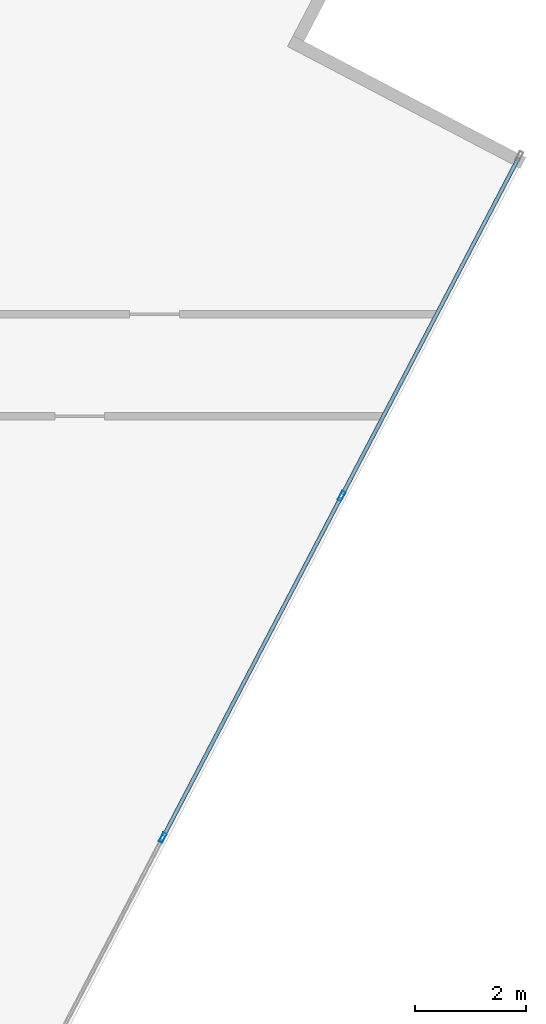
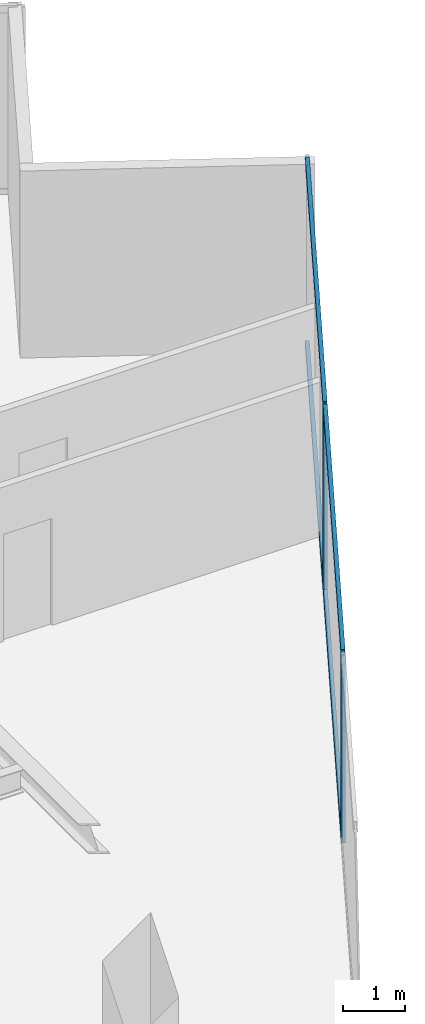
# One storey, part 12 of 27: 6 members, 1 element without a shape of its own.
"""IFC4 building model written with IfcOpenShell, lengths in metres."""

from ifc_helpers import new_model, si_unit, direction, frame, origin, origin_2d, place, context, subcontext, project, spatial, hollow_rectangle, extrude, source, transform, mapped, material, material_profile, profile_set, type_object, type_shapes, element, aggregate, save


model = new_model("IFC4")

# Units and contexts
model_context = context("Model", 3, precision=1e-05, world=origin(), true_north=direction((0.0, 1.0)))
body_context = subcontext(model_context, "Body", "Model", "MODEL_VIEW")
ifc_project = project(units=[si_unit("LENGTHUNIT", "METRE"), si_unit("AREAUNIT", "SQUARE_METRE"), si_unit("VOLUMEUNIT", "CUBIC_METRE"), si_unit("PLANEANGLEUNIT", "RADIAN"), si_unit("MASSUNIT", "GRAM", prefix="KILO")], contexts=[model_context])

# Site, building, storey
site_placement = place(None, origin())
site = spatial("IfcSite", under=ifc_project, at=site_placement, CompositionType="ELEMENT")
building_placement = place(site_placement, origin())
building = spatial("IfcBuilding", under=site, at=building_placement, Name="Krantzveldt Concourse Tower", CompositionType="ELEMENT")
storey_placement = place(building_placement, frame((0.0, 0.0, 150.14990234375)))
storey = spatial("IfcBuildingStorey", under=building, at=storey_placement, Name="L36", CompositionType="ELEMENT", Elevation=150.14990234375)

# Curtain wall, members
ifc_material = material(Name="Anodised aluminium 6063-T6", Category="aluminium")
curtain_wall_type = type_object("IfcCurtainWallType", Name="CW3", PredefinedType="USERDEFINED", material=ifc_material)
curtain_wall_placement = place(storey_placement, origin())
curtain_wall = element("IfcCurtainWall", 1, at=curtain_wall_placement, inside=storey, type_object=curtain_wall_type, Name="CW-L36-F07", ObjectType="UNITISED CURTAIN WALL", PredefinedType="USERDEFINED")
ifc_material_profile_1 = material_profile(ifc_material, hollow_rectangle(XDim=0.070068359375, YDim=0.179931640625, WallThickness=0.0048828125, at=origin_2d()), Name="Anodised aluminium 6063-T6", Category="aluminium")
ifc_profile_set_1 = profile_set([ifc_material_profile_1], Name="Anodised aluminium 6063-T6 - ALU-MULL 180x70x5")
member_type_1 = type_object("IfcMemberType", Name="CW-MUL-180", PredefinedType="MULLION", material=ifc_profile_set_1)
shared_shape_1 = source(origin(), body_context, "Body", "SweptSolid", [
    extrude(hollow_rectangle(XDim=0.070068359375, YDim=0.179931640625, WallThickness=0.0048828125, at=origin_2d()), origin(), (0.0, 0.0, 1.0), 3.670166015625),
])
type_shapes(member_type_1, [shared_shape_1])
member_1_placement = place(storey_placement, frame((56.937255859375, 19.67041015625, 0.0), z_axis=(0.0, 0.0, 1.0), x_axis=(-0.886001265743, 0.463682819502, 0.0)))
member_1 = element("IfcMember", 2, at=member_1_placement, type_object=member_type_1, Name="CW-Z34 mullion 4", PredefinedType="MULLION", context=body_context, shape_type="MappedRepresentation", body=[
    mapped(shared_shape_1, transform((0.0, 0.0, 0.0), x_axis=(1.0, 0.0, 0.0), y_axis=(0.0, 1.0, 0.0), z_axis=(0.0, 0.0, 1.0), scale=1.0)),
])
member_2_placement = place(storey_placement, frame((60.16455078125, 25.8369140625, 0.0), z_axis=(0.0, 0.0, 1.0), x_axis=(-0.886001265743, 0.463682819502, 0.0)))
member_2 = element("IfcMember", 3, at=member_2_placement, type_object=member_type_1, Name="CW-Z34 mullion 5", PredefinedType="MULLION", context=body_context, shape_type="MappedRepresentation", body=[
    mapped(shared_shape_1, transform((0.0, 0.0, 0.0), x_axis=(1.0, 0.0, 0.0), y_axis=(0.0, 1.0, 0.0), z_axis=(0.0, 0.0, 1.0), scale=1.0)),
])
ifc_material_profile_2 = material_profile(ifc_material, hollow_rectangle(XDim=0.070068359375, YDim=0.139892578125, WallThickness=0.0048828125, at=origin_2d()), Name="Anodised aluminium 6063-T6", Category="aluminium")
ifc_profile_set_2 = profile_set([ifc_material_profile_2], Name="Anodised aluminium 6063-T6 - ALU-TRAN 140x70x5")
member_type_2 = type_object("IfcMemberType", Name="CW-TRN-150", PredefinedType="USERDEFINED", material=ifc_profile_set_2)
shared_shape_2 = source(origin(), body_context, "Body", "SweptSolid", [
    extrude(hollow_rectangle(XDim=0.070068359375, YDim=0.139892578125, WallThickness=0.0048828125, at=origin_2d()), origin(), (0.0, 0.0, 1.0), 6.85498046875),
])
member_3_placement = place(storey_placement, frame((60.1806640625, 25.867919921875, 0.03515625), z_axis=(0.463704875487, 0.885989722542, 0.0), x_axis=(-0.885989722542, 0.463704875487, 0.0)))
member_3 = element("IfcMember", 4, at=member_3_placement, type_object=member_type_2, Name="CW-Z34 transom 5.1", ObjectType="TRANSOM", PredefinedType="USERDEFINED", context=body_context, shape_type="MappedRepresentation", body=[
    mapped(shared_shape_2, transform((0.0, 0.0, 0.0), x_axis=(1.0, 0.0, 0.0), y_axis=(0.0, 1.0, 0.0), z_axis=(0.0, 0.0, 1.0), scale=1.0)),
])
member_4_placement = place(storey_placement, frame((60.1806640625, 25.867919921875, 3.635009765625), z_axis=(0.463704875487, 0.885989722542, 0.0), x_axis=(-0.885989722542, 0.463704875487, 0.0)))
member_4 = element("IfcMember", 5, at=member_4_placement, type_object=member_type_2, Name="CW-Z34 transom 5.2", ObjectType="TRANSOM", PredefinedType="USERDEFINED", context=body_context, shape_type="MappedRepresentation", body=[
    mapped(shared_shape_2, transform((0.0, 0.0, 0.0), x_axis=(1.0, 0.0, 0.0), y_axis=(0.0, 1.0, 0.0), z_axis=(0.0, 0.0, 1.0), scale=1.0)),
])
shared_shape_3 = source(origin(), body_context, "Body", "SweptSolid", [
    extrude(hollow_rectangle(XDim=0.070068359375, YDim=0.139892578125, WallThickness=0.0048828125, at=origin_2d()), origin(), (0.0, 0.0, 1.0), 6.889892578125),
])
type_shapes(member_type_2, [shared_shape_2, shared_shape_3])
member_5_placement = place(storey_placement, frame((56.95361328125, 19.701416015625, 0.03515625), z_axis=(0.463664024422, 0.886011101769, 0.0), x_axis=(-0.886011101769, 0.463664024422, 0.0)))
member_5 = element("IfcMember", 6, at=member_5_placement, type_object=member_type_2, Name="CW-Z34 transom 4.1", ObjectType="TRANSOM", PredefinedType="USERDEFINED", context=body_context, shape_type="MappedRepresentation", body=[
    mapped(shared_shape_3, transform((0.0, 0.0, 0.0), x_axis=(1.0, 0.0, 0.0), y_axis=(0.0, 1.0, 0.0), z_axis=(0.0, 0.0, 1.0), scale=1.0)),
])
member_6_placement = place(storey_placement, frame((56.95361328125, 19.701416015625, 3.635009765625), z_axis=(0.463664024422, 0.886011101769, 0.0), x_axis=(-0.886011101769, 0.463664024422, 0.0)))
member_6 = element("IfcMember", 7, at=member_6_placement, type_object=member_type_2, Name="CW-Z34 transom 4.2", ObjectType="TRANSOM", PredefinedType="USERDEFINED", context=body_context, shape_type="MappedRepresentation", body=[
    mapped(shared_shape_3, transform((0.0, 0.0, 0.0), x_axis=(1.0, 0.0, 0.0), y_axis=(0.0, 1.0, 0.0), z_axis=(0.0, 0.0, 1.0), scale=1.0)),
])
aggregate(curtain_wall, [member_1, member_2, member_5, member_6, member_3, member_4])

save(model, "model.ifc")
